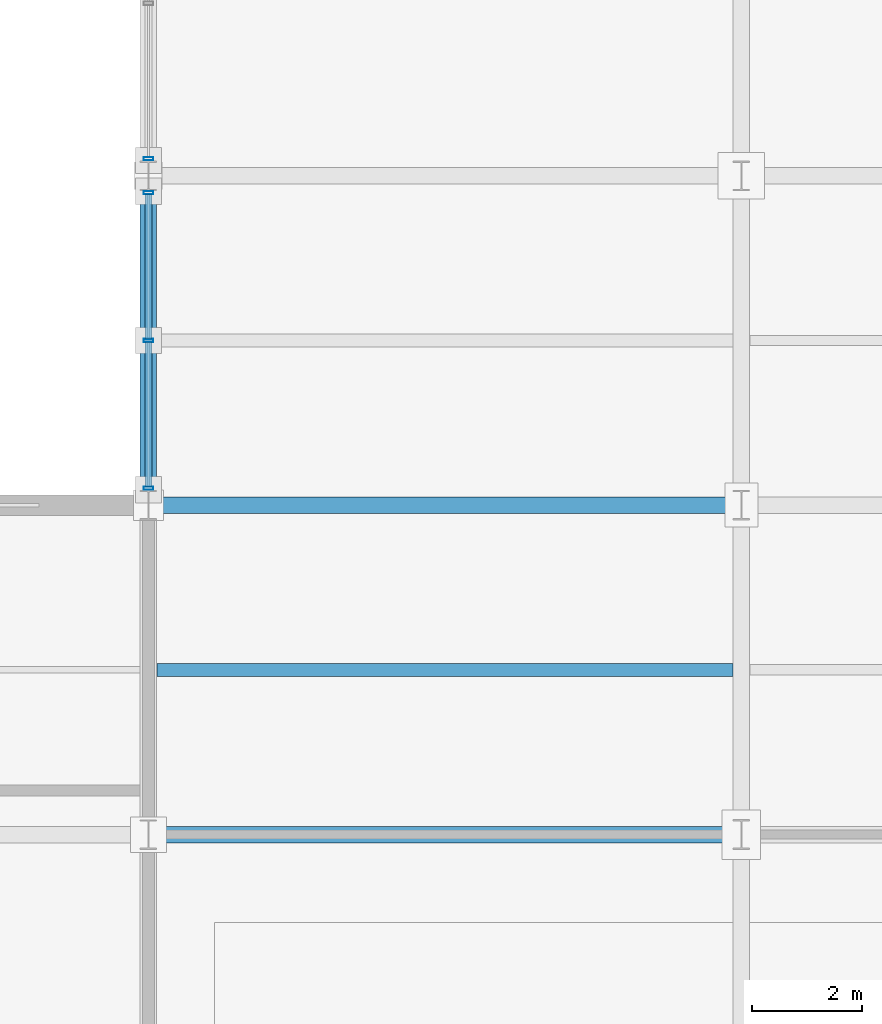
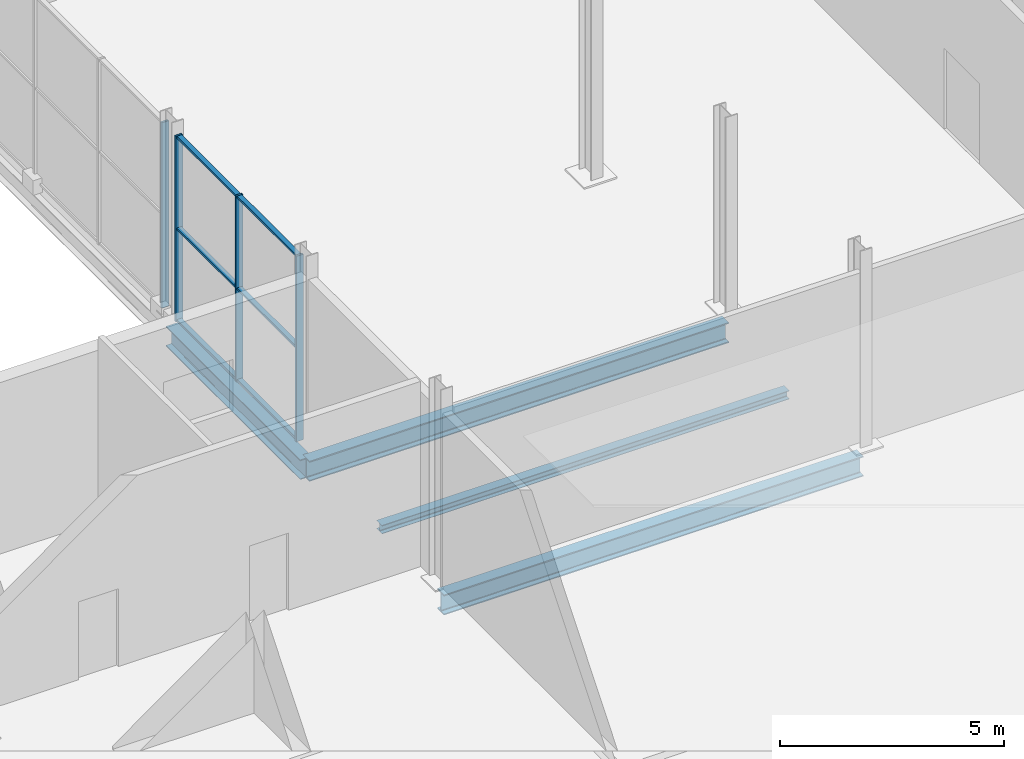
# One storey, part 137 of 196: 10 members, 4 beams, 2 elements without a shape of their own.
"""IFC4 building model written with IfcOpenShell, lengths in metres."""

from ifc_helpers import new_model, si_unit, direction, frame, origin, origin_2d, place, context, subcontext, project, spatial, hollow_rectangle, i_section, extrude, material, material_profile, profile_set, type_object, element, aggregate, save


model = new_model("IFC4")

# Units and contexts
model_context = context("Model", 3, precision=1e-05, world=origin(), true_north=direction((0.0, 1.0)))
body_context = subcontext(model_context, "Body", "Model", "MODEL_VIEW")
ifc_project = project(units=[si_unit("LENGTHUNIT", "METRE"), si_unit("AREAUNIT", "SQUARE_METRE"), si_unit("VOLUMEUNIT", "CUBIC_METRE"), si_unit("PLANEANGLEUNIT", "RADIAN"), si_unit("MASSUNIT", "GRAM", prefix="KILO")], contexts=[model_context])

# Site, building, storey
site_placement = place(None, origin())
site = spatial("IfcSite", under=ifc_project, at=site_placement, CompositionType="ELEMENT")
building_placement = place(site_placement, origin())
building = spatial("IfcBuilding", under=site, at=building_placement, Name="Merenkruunu Market Hall", CompositionType="ELEMENT")
storey_placement = place(building_placement, origin())
storey = spatial("IfcBuildingStorey", under=building, at=storey_placement, Name="L00", CompositionType="ELEMENT", Elevation=0.0)

# Curtain wall, members
ifc_material_1 = material(Name="Powder-coated aluminium", Category="aluminium")
curtain_wall_type = type_object("IfcCurtainWallType", Name="Glazed Curtain Wall CW14", PredefinedType="USERDEFINED", material=ifc_material_1)
curtain_wall_1_placement = place(storey_placement, origin())
curtain_wall_1 = element("IfcCurtainWall", 1, at=curtain_wall_1_placement, inside=storey, type_object=curtain_wall_type, Name="CW-L00-CWM02-205", ObjectType="GLAZED_FACADE", PredefinedType="USERDEFINED")
ifc_material_profile_1 = material_profile(ifc_material_1, hollow_rectangle(XDim=0.06005859375, YDim=0.179931640625, WallThickness=0.00390625, at=origin_2d()), Name="ALU 60x180x4")
ifc_profile_set_1 = profile_set([ifc_material_profile_1], Name="Powder-coated aluminium")
member_type_1 = type_object("IfcMemberType", Name="Curtain Wall Mullion CWM02", PredefinedType="MULLION", material=ifc_profile_set_1)
member_1_placement = place(storey_placement, frame((148.800048828125, 45.909912109375, 0.0), z_axis=(0.0, 0.0, 1.0), x_axis=(0.0, 1.0, 0.0)))
member_1 = element("IfcMember", 2, at=member_1_placement, type_object=member_type_1, Name="CW14 mullion 1", PredefinedType="MULLION", context=body_context, shape_type="SweptSolid", body=[
    extrude(hollow_rectangle(XDim=0.06005859375, YDim=0.179931640625, WallThickness=0.00390625, at=origin_2d()), origin(), (0.0, 0.0, 1.0), 5.050048828125),
])
member_2_placement = place(storey_placement, frame((148.800048828125, 48.60009765625, 0.0), z_axis=(0.0, 0.0, 1.0), x_axis=(0.0, 1.0, 0.0)))
member_2 = element("IfcMember", 3, at=member_2_placement, type_object=member_type_1, Name="CW14 mullion 2", PredefinedType="MULLION", context=body_context, shape_type="SweptSolid", body=[
    extrude(hollow_rectangle(XDim=0.06005859375, YDim=0.179931640625, WallThickness=0.00390625, at=origin_2d()), origin(), (0.0, 0.0, 1.0), 5.050048828125),
])
member_3_placement = place(storey_placement, frame((148.800048828125, 51.2900390625, 0.0), z_axis=(0.0, 0.0, 1.0), x_axis=(0.0, 1.0, 0.0)))
member_3 = element("IfcMember", 4, at=member_3_placement, type_object=member_type_1, Name="CW14 mullion 3", PredefinedType="MULLION", context=body_context, shape_type="SweptSolid", body=[
    extrude(hollow_rectangle(XDim=0.06005859375, YDim=0.179931640625, WallThickness=0.00390625, at=origin_2d()), origin(), (0.0, 0.0, 1.0), 5.050048828125),
])

# Curtain wall, member
curtain_wall_2_placement = place(storey_placement, origin())
curtain_wall_2 = element("IfcCurtainWall", 5, at=curtain_wall_2_placement, inside=storey, type_object=curtain_wall_type, Name="CW-L00-CWM02-206", ObjectType="GLAZED_FACADE", PredefinedType="USERDEFINED")
member_4_placement = place(storey_placement, frame((148.800048828125, 51.909912109375, 0.0), z_axis=(0.0, 0.0, 1.0), x_axis=(0.0, 1.0, 0.0)))
member_4 = element("IfcMember", 6, at=member_4_placement, type_object=member_type_1, Name="CW14 mullion 1", PredefinedType="MULLION", context=body_context, shape_type="SweptSolid", body=[
    extrude(hollow_rectangle(XDim=0.06005859375, YDim=0.179931640625, WallThickness=0.00390625, at=origin_2d()), origin(), (0.0, 0.0, 1.0), 5.050048828125),
])
aggregate(curtain_wall_2, [member_4])

# Member
ifc_material_profile_2 = material_profile(ifc_material_1, hollow_rectangle(XDim=0.06005859375, YDim=0.125, WallThickness=0.00390625, at=origin_2d()), Name="ALU 60x125x4")
ifc_profile_set_2 = profile_set([ifc_material_profile_2], Name="Powder-coated aluminium")
member_type_2 = type_object("IfcMemberType", Name="Curtain Wall Transom CWT01", PredefinedType="USERDEFINED", material=ifc_profile_set_2)
member_5_placement = place(storey_placement, frame((148.800048828125, 45.93994140625, 0.030029296875), z_axis=(0.0, 1.0, 0.0), x_axis=(0.0, 0.0, 1.0)))
member_5 = element("IfcMember", 7, at=member_5_placement, type_object=member_type_2, Name="CW14 transom 1.1", ObjectType="TRANSOM", PredefinedType="USERDEFINED", context=body_context, shape_type="SweptSolid", body=[
    extrude(hollow_rectangle(XDim=0.06005859375, YDim=0.125, WallThickness=0.00390625, at=origin_2d()), origin(), (0.0, 0.0, 1.0), 2.630126953125),
])

member_6_placement = place(storey_placement, frame((148.800048828125, 45.93994140625, 2.52490234375), z_axis=(0.0, 1.0, 0.0), x_axis=(0.0, 0.0, 1.0)))
member_6 = element("IfcMember", 8, at=member_6_placement, type_object=member_type_2, Name="CW14 transom 1.2", ObjectType="TRANSOM", PredefinedType="USERDEFINED", context=body_context, shape_type="SweptSolid", body=[
    extrude(hollow_rectangle(XDim=0.06005859375, YDim=0.125, WallThickness=0.00390625, at=origin_2d()), origin(), (0.0, 0.0, 1.0), 2.630126953125),
])

member_7_placement = place(storey_placement, frame((148.800048828125, 45.93994140625, 5.02001953125), z_axis=(0.0, 1.0, 0.0), x_axis=(0.0, 0.0, 1.0)))
member_7 = element("IfcMember", 9, at=member_7_placement, type_object=member_type_2, Name="CW14 transom 1.3", ObjectType="TRANSOM", PredefinedType="USERDEFINED", context=body_context, shape_type="SweptSolid", body=[
    extrude(hollow_rectangle(XDim=0.06005859375, YDim=0.125, WallThickness=0.00390625, at=origin_2d()), origin(), (0.0, 0.0, 1.0), 2.630126953125),
])

member_8_placement = place(storey_placement, frame((148.800048828125, 48.6298828125, 0.030029296875), z_axis=(0.0, 1.0, 0.0), x_axis=(0.0, 0.0, 1.0)))
member_8 = element("IfcMember", 10, at=member_8_placement, type_object=member_type_2, Name="CW14 transom 2.1", ObjectType="TRANSOM", PredefinedType="USERDEFINED", context=body_context, shape_type="SweptSolid", body=[
    extrude(hollow_rectangle(XDim=0.06005859375, YDim=0.125, WallThickness=0.00390625, at=origin_2d()), origin(), (0.0, 0.0, 1.0), 2.630126953125),
])

member_9_placement = place(storey_placement, frame((148.800048828125, 48.6298828125, 2.52490234375), z_axis=(0.0, 1.0, 0.0), x_axis=(0.0, 0.0, 1.0)))
member_9 = element("IfcMember", 11, at=member_9_placement, type_object=member_type_2, Name="CW14 transom 2.2", ObjectType="TRANSOM", PredefinedType="USERDEFINED", context=body_context, shape_type="SweptSolid", body=[
    extrude(hollow_rectangle(XDim=0.06005859375, YDim=0.125, WallThickness=0.00390625, at=origin_2d()), origin(), (0.0, 0.0, 1.0), 2.630126953125),
])

member_10_placement = place(storey_placement, frame((148.800048828125, 48.6298828125, 5.02001953125), z_axis=(0.0, 1.0, 0.0), x_axis=(0.0, 0.0, 1.0)))
member_10 = element("IfcMember", 12, at=member_10_placement, type_object=member_type_2, Name="CW14 transom 2.3", ObjectType="TRANSOM", PredefinedType="USERDEFINED", context=body_context, shape_type="SweptSolid", body=[
    extrude(hollow_rectangle(XDim=0.06005859375, YDim=0.125, WallThickness=0.00390625, at=origin_2d()), origin(), (0.0, 0.0, 1.0), 2.630126953125),
])

aggregate(curtain_wall_1, [member_1, member_2, member_3, member_5, member_6, member_7, member_8, member_9, member_10])

# Beams
ifc_material_2 = material(Name="Steel S355J2", Category="steel")
ifc_material_profile_3 = material_profile(ifc_material_2, i_section(OverallWidth=0.300048828125, OverallDepth=0.550048828125, WebThickness=0.014892578125, FlangeThickness=0.029052734375, FilletRadius=0.027099609375, at=origin_2d()), Name="HEB 550")
ifc_profile_set_3 = profile_set([ifc_material_profile_3], Name="Steel S355J2")
beam_type_1 = type_object("IfcBeamType", Name="Primary Floor Girder B02", PredefinedType="BEAM", material=ifc_profile_set_3)
for number, where, z_axis, x_axis, name in (
    (13, (148.800048828125, 39.60009765625, -0.574951171875), (1.0, 0.0, 0.0), (0.0, 1.0, 0.0), "BM-L00-B02-0059"),
    (14, (148.800048828125, 45.60009765625, -0.574951171875), (1.0, 0.0, 0.0), (0.0, 1.0, 0.0), "BM-L00-B02-0077"),
):
    element("IfcBeam", number, at=place(storey_placement, frame(where, z_axis=z_axis, x_axis=x_axis)), inside=storey, type_object=beam_type_1, Name=name, PredefinedType="BEAM", context=body_context, shape_type="SweptSolid", body=[
        extrude(i_section(OverallWidth=0.300048828125, OverallDepth=0.550048828125, WebThickness=0.014892578125, FlangeThickness=0.029052734375, FilletRadius=0.027099609375, at=origin_2d()), origin(), (0.0, 0.0, 1.0), 10.800048828125),
    ])
ifc_material_profile_4 = material_profile(ifc_material_2, i_section(OverallWidth=0.300048828125, OverallDepth=0.5400390625, WebThickness=0.012451171875, FlangeThickness=0.02392578125, FilletRadius=0.027099609375, at=origin_2d()), Name="HEA 550")
ifc_profile_set_4 = profile_set([ifc_material_profile_4], Name="Steel S355J2")
beam_type_2 = type_object("IfcBeamType", Name="Primary Floor Girder B06", PredefinedType="BEAM", material=ifc_profile_set_4)
beam_1_placement = place(storey_placement, frame((148.800048828125, 45.60009765625, -0.570068359375), z_axis=(0.0, 1.0, 0.0), x_axis=(-1.0, 0.0, 0.0)))
element("IfcBeam", 15, at=beam_1_placement, inside=storey, type_object=beam_type_2, Name="BM-L00-B06-0244", PredefinedType="BEAM", context=body_context, shape_type="SweptSolid", body=[
    extrude(i_section(OverallWidth=0.300048828125, OverallDepth=0.5400390625, WebThickness=0.012451171875, FlangeThickness=0.02392578125, FilletRadius=0.027099609375, at=origin_2d()), origin(), (0.0, 0.0, 1.0), 6.0),
])
ifc_material_profile_5 = material_profile(ifc_material_2, i_section(OverallWidth=0.239990234375, OverallDepth=0.22998046875, WebThickness=0.007568359375, FlangeThickness=0.011962890625, FilletRadius=0.02099609375, at=origin_2d()), Name="HEA 240")
ifc_profile_set_5 = profile_set([ifc_material_profile_5], Name="Steel S355J2")
beam_type_3 = type_object("IfcBeamType", Name="Secondary Floor Joist J06", PredefinedType="JOIST", material=ifc_profile_set_5)
beam_2_placement = place(storey_placement, frame((148.952880859375, 42.60009765625, -0.4150390625), z_axis=(1.0, 0.0, 0.0), x_axis=(0.0, 1.0, 0.0)))
element("IfcBeam", 16, at=beam_2_placement, inside=storey, type_object=beam_type_3, Name="BM-L00-J06-0429", PredefinedType="JOIST", context=body_context, shape_type="SweptSolid", body=[
    extrude(i_section(OverallWidth=0.239990234375, OverallDepth=0.22998046875, WebThickness=0.007568359375, FlangeThickness=0.011962890625, FilletRadius=0.02099609375, at=origin_2d()), origin(), (0.0, 0.0, 1.0), 10.494140625),
])

save(model, "model.ifc")
